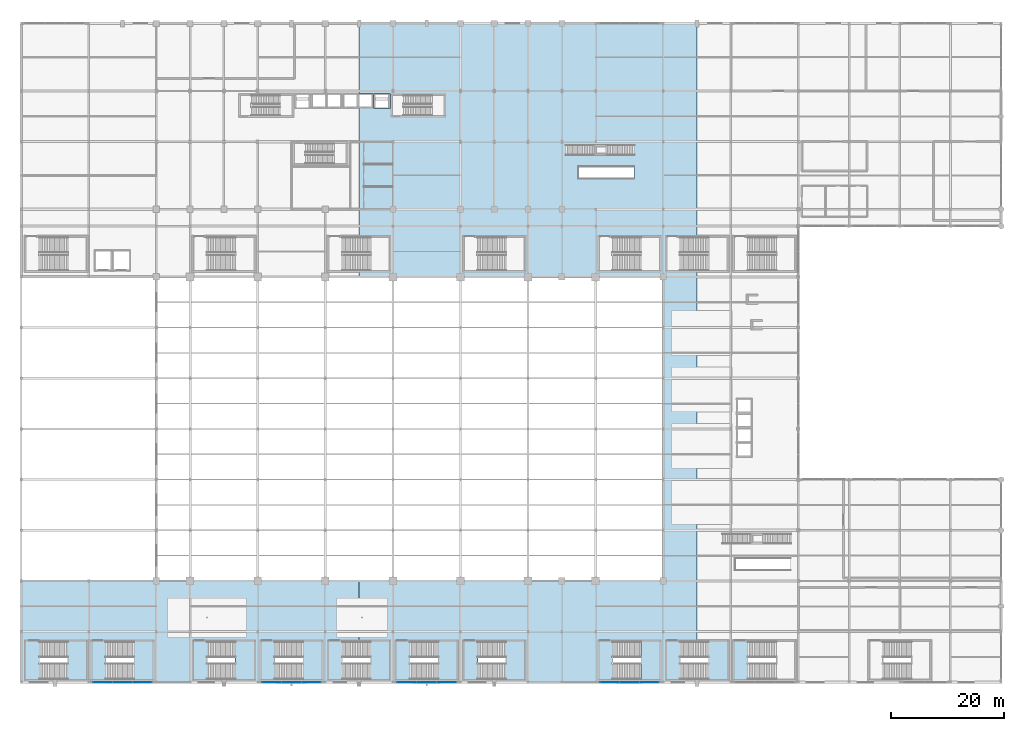
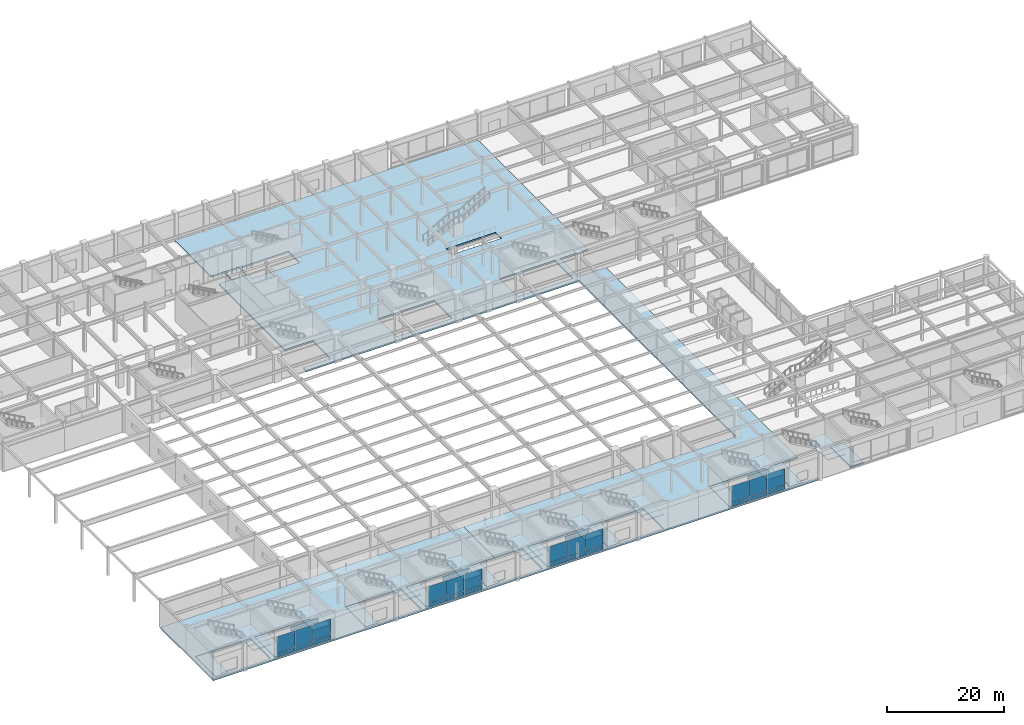
# One storey, part 79 of 105: 28 plates, 21 slabs, 13 elements without a shape of their own.
"""IFC4 building model written with IfcOpenShell, lengths in metres."""

from ifc_helpers import new_model, si_unit, direction, frame, origin, origin_2d, place, context, subcontext, project, spatial, polyline, rectangle, outline, extrude, material, layer, layer_set, type_object, element, aggregate, save


model = new_model("IFC4")

# Units and contexts
model_context = context("Model", 3, precision=1e-05, world=origin(), true_north=direction((0.0, 1.0)))
body_context = subcontext(model_context, "Body", "Model", "MODEL_VIEW")
ifc_project = project(units=[si_unit("LENGTHUNIT", "METRE"), si_unit("AREAUNIT", "SQUARE_METRE"), si_unit("VOLUMEUNIT", "CUBIC_METRE"), si_unit("PLANEANGLEUNIT", "RADIAN"), si_unit("MASSUNIT", "GRAM", prefix="KILO")], contexts=[model_context])

# Site, building, storey
site_placement = place(None, origin())
site = spatial("IfcSite", under=ifc_project, at=site_placement, CompositionType="ELEMENT")
building_placement = place(site_placement, origin())
building = spatial("IfcBuilding", under=site, at=building_placement, Name="Kaldorvane Square Convention Centre", CompositionType="ELEMENT")
storey_placement = place(building_placement, frame((0.0, 0.0, 6.0)))
storey = spatial("IfcBuildingStorey", under=building, at=storey_placement, Name="L01", CompositionType="ELEMENT", Elevation=6.0)

# Curtain wall, plates
ifc_material_1 = material(Name="Anodized Aluminum and Low-E Insulated Glazing", Category="aluminium")
curtain_wall_type = type_object("IfcCurtainWallType", Name="CW-UNI-P60-12", PredefinedType="USERDEFINED", material=ifc_material_1)
curtain_wall_1_placement = place(storey_placement, origin())
curtain_wall_1 = element("IfcCurtainWall", 1, at=curtain_wall_1_placement, inside=storey, type_object=curtain_wall_type, Name="Curtain Wall CW-01 (L01)", ObjectType="UNITISED GLAZING", PredefinedType="USERDEFINED")
ifc_layer_1 = layer(ifc_material_1, 0.037994384765625)
ifc_layer_set_1 = layer_set([ifc_layer_1], Name="Anodized Aluminum and Low-E Insulated Glazing")
plate_type_1 = type_object("IfcPlateType", Name="CW-PNL-01", PredefinedType="CURTAIN_PANEL", material=ifc_layer_set_1)
plate_1_placement = place(storey_placement, frame((14.48541259765625, 0.0, 0.214996337890625), z_axis=(0.0, 0.0, 1.0), x_axis=(1.0, 0.0, 0.0)))
plate_1 = element("IfcPlate", 2, at=plate_1_placement, type_object=plate_type_1, Name="CW-01 panel 1.1", PredefinedType="CURTAIN_PANEL", context=body_context, shape_type="SweptSolid", body=[
    extrude(rectangle(XDim=3.42083740234375, YDim=0.037994384765625, at=origin_2d()), origin(), (0.0, 0.0, 1.0), 0.8025054931640625),
])
plate_2_placement = place(storey_placement, frame((14.48541259765625, 0.0, 1.0825042724609375), z_axis=(0.0, 0.0, 1.0), x_axis=(1.0, 0.0, 0.0)))
plate_2 = element("IfcPlate", 3, at=plate_2_placement, type_object=plate_type_1, Name="CW-01 panel 1.2", PredefinedType="CURTAIN_PANEL", context=body_context, shape_type="SweptSolid", body=[
    extrude(rectangle(XDim=3.42083740234375, YDim=0.037994384765625, at=origin_2d()), origin(), (0.0, 0.0, 1.0), 3.412506103515625),
])
plate_3_placement = place(storey_placement, frame((18.0, 0.0, 0.214996337890625), z_axis=(0.0, 0.0, 1.0), x_axis=(1.0, 0.0, 0.0)))
plate_3 = element("IfcPlate", 4, at=plate_3_placement, type_object=plate_type_1, Name="CW-01 panel 2.1", PredefinedType="CURTAIN_PANEL", context=body_context, shape_type="SweptSolid", body=[
    extrude(rectangle(XDim=3.4583282470703125, YDim=0.037994384765625, at=origin_2d()), origin(), (0.0, 0.0, 1.0), 0.8025054931640625),
])
plate_4_placement = place(storey_placement, frame((18.0, 0.0, 1.0825042724609375), z_axis=(0.0, 0.0, 1.0), x_axis=(1.0, 0.0, 0.0)))
plate_4 = element("IfcPlate", 5, at=plate_4_placement, type_object=plate_type_1, Name="CW-01 panel 2.2", PredefinedType="CURTAIN_PANEL", context=body_context, shape_type="SweptSolid", body=[
    extrude(rectangle(XDim=3.4583282470703125, YDim=0.037994384765625, at=origin_2d()), origin(), (0.0, 0.0, 1.0), 3.412506103515625),
])
plate_5_placement = place(storey_placement, frame((21.51458740234375, 0.0, 0.214996337890625), z_axis=(0.0, 0.0, 1.0), x_axis=(1.0, 0.0, 0.0)))
plate_5 = element("IfcPlate", 6, at=plate_5_placement, type_object=plate_type_1, Name="CW-01 panel 3.1", PredefinedType="CURTAIN_PANEL", context=body_context, shape_type="SweptSolid", body=[
    extrude(rectangle(XDim=3.42083740234375, YDim=0.037994384765625, at=origin_2d()), origin(), (0.0, 0.0, 1.0), 0.8025054931640625),
])
plate_6_placement = place(storey_placement, frame((21.51458740234375, 0.0, 1.0825042724609375), z_axis=(0.0, 0.0, 1.0), x_axis=(1.0, 0.0, 0.0)))
plate_6 = element("IfcPlate", 7, at=plate_6_placement, type_object=plate_type_1, Name="CW-01 panel 3.2", PredefinedType="CURTAIN_PANEL", context=body_context, shape_type="SweptSolid", body=[
    extrude(rectangle(XDim=3.42083740234375, YDim=0.037994384765625, at=origin_2d()), origin(), (0.0, 0.0, 1.0), 3.412506103515625),
])
aggregate(curtain_wall_1, [plate_1, plate_2, plate_3, plate_4, plate_5, plate_6])

curtain_wall_2_placement = place(storey_placement, origin())
curtain_wall_2 = element("IfcCurtainWall", 8, at=curtain_wall_2_placement, inside=storey, type_object=curtain_wall_type, Name="Curtain Wall CW-01 (L01)", ObjectType="UNITISED GLAZING", PredefinedType="USERDEFINED")
plate_7_placement = place(storey_placement, frame((44.48541259765625, 0.0, 0.214996337890625), z_axis=(0.0, 0.0, 1.0), x_axis=(1.0, 0.0, 0.0)))
plate_7 = element("IfcPlate", 9, at=plate_7_placement, type_object=plate_type_1, Name="CW-01 panel 1.1", PredefinedType="CURTAIN_PANEL", context=body_context, shape_type="SweptSolid", body=[
    extrude(rectangle(XDim=3.42083740234375, YDim=0.037994384765625, at=origin_2d()), origin(), (0.0, 0.0, 1.0), 0.8025054931640625),
])
plate_8_placement = place(storey_placement, frame((44.48541259765625, 0.0, 1.0825042724609375), z_axis=(0.0, 0.0, 1.0), x_axis=(1.0, 0.0, 0.0)))
plate_8 = element("IfcPlate", 10, at=plate_8_placement, type_object=plate_type_1, Name="CW-01 panel 1.2", PredefinedType="CURTAIN_PANEL", context=body_context, shape_type="SweptSolid", body=[
    extrude(rectangle(XDim=3.42083740234375, YDim=0.037994384765625, at=origin_2d()), origin(), (0.0, 0.0, 1.0), 3.412506103515625),
])
plate_9_placement = place(storey_placement, frame((48.0, 0.0, 0.214996337890625), z_axis=(0.0, 0.0, 1.0), x_axis=(1.0, 0.0, 0.0)))
plate_9 = element("IfcPlate", 11, at=plate_9_placement, type_object=plate_type_1, Name="CW-01 panel 2.1", PredefinedType="CURTAIN_PANEL", context=body_context, shape_type="SweptSolid", body=[
    extrude(rectangle(XDim=3.4583282470703125, YDim=0.037994384765625, at=origin_2d()), origin(), (0.0, 0.0, 1.0), 0.8025054931640625),
])
plate_10_placement = place(storey_placement, frame((48.0, 0.0, 1.0825042724609375), z_axis=(0.0, 0.0, 1.0), x_axis=(1.0, 0.0, 0.0)))
plate_10 = element("IfcPlate", 12, at=plate_10_placement, type_object=plate_type_1, Name="CW-01 panel 2.2", PredefinedType="CURTAIN_PANEL", context=body_context, shape_type="SweptSolid", body=[
    extrude(rectangle(XDim=3.4583282470703125, YDim=0.037994384765625, at=origin_2d()), origin(), (0.0, 0.0, 1.0), 3.412506103515625),
])
plate_11_placement = place(storey_placement, frame((51.51458740234375, 0.0, 0.214996337890625), z_axis=(0.0, 0.0, 1.0), x_axis=(1.0, 0.0, 0.0)))
plate_11 = element("IfcPlate", 13, at=plate_11_placement, type_object=plate_type_1, Name="CW-01 panel 3.1", PredefinedType="CURTAIN_PANEL", context=body_context, shape_type="SweptSolid", body=[
    extrude(rectangle(XDim=3.42083740234375, YDim=0.037994384765625, at=origin_2d()), origin(), (0.0, 0.0, 1.0), 0.8025054931640625),
])
plate_12_placement = place(storey_placement, frame((51.51458740234375, 0.0, 1.0825042724609375), z_axis=(0.0, 0.0, 1.0), x_axis=(1.0, 0.0, 0.0)))
plate_12 = element("IfcPlate", 14, at=plate_12_placement, type_object=plate_type_1, Name="CW-01 panel 3.2", PredefinedType="CURTAIN_PANEL", context=body_context, shape_type="SweptSolid", body=[
    extrude(rectangle(XDim=3.42083740234375, YDim=0.037994384765625, at=origin_2d()), origin(), (0.0, 0.0, 1.0), 3.412506103515625),
])
aggregate(curtain_wall_2, [plate_7, plate_8, plate_9, plate_10, plate_11, plate_12])

curtain_wall_3_placement = place(storey_placement, origin())
curtain_wall_3 = element("IfcCurtainWall", 15, at=curtain_wall_3_placement, inside=storey, type_object=curtain_wall_type, Name="Curtain Wall CW-01 (L01)", ObjectType="UNITISED GLAZING", PredefinedType="USERDEFINED")
plate_13_placement = place(storey_placement, frame((68.48541259765625, 0.0, 0.214996337890625), z_axis=(0.0, 0.0, 1.0), x_axis=(1.0, 0.0, 0.0)))
plate_13 = element("IfcPlate", 16, at=plate_13_placement, type_object=plate_type_1, Name="CW-01 panel 1.1", PredefinedType="CURTAIN_PANEL", context=body_context, shape_type="SweptSolid", body=[
    extrude(rectangle(XDim=3.42083740234375, YDim=0.037994384765625, at=origin_2d()), origin(), (0.0, 0.0, 1.0), 0.8025054931640625),
])
plate_14_placement = place(storey_placement, frame((68.48541259765625, 0.0, 1.0825042724609375), z_axis=(0.0, 0.0, 1.0), x_axis=(1.0, 0.0, 0.0)))
plate_14 = element("IfcPlate", 17, at=plate_14_placement, type_object=plate_type_1, Name="CW-01 panel 1.2", PredefinedType="CURTAIN_PANEL", context=body_context, shape_type="SweptSolid", body=[
    extrude(rectangle(XDim=3.42083740234375, YDim=0.037994384765625, at=origin_2d()), origin(), (0.0, 0.0, 1.0), 3.412506103515625),
])
plate_15_placement = place(storey_placement, frame((72.0, 0.0, 0.214996337890625), z_axis=(0.0, 0.0, 1.0), x_axis=(1.0, 0.0, 0.0)))
plate_15 = element("IfcPlate", 18, at=plate_15_placement, type_object=plate_type_1, Name="CW-01 panel 2.1", PredefinedType="CURTAIN_PANEL", context=body_context, shape_type="SweptSolid", body=[
    extrude(rectangle(XDim=3.4583282470703125, YDim=0.037994384765625, at=origin_2d()), origin(), (0.0, 0.0, 1.0), 0.8025054931640625),
])
plate_16_placement = place(storey_placement, frame((72.0, 0.0, 1.0825042724609375), z_axis=(0.0, 0.0, 1.0), x_axis=(1.0, 0.0, 0.0)))
plate_16 = element("IfcPlate", 19, at=plate_16_placement, type_object=plate_type_1, Name="CW-01 panel 2.2", PredefinedType="CURTAIN_PANEL", context=body_context, shape_type="SweptSolid", body=[
    extrude(rectangle(XDim=3.4583282470703125, YDim=0.037994384765625, at=origin_2d()), origin(), (0.0, 0.0, 1.0), 3.412506103515625),
])
plate_17_placement = place(storey_placement, frame((75.51458740234375, 0.0, 0.214996337890625), z_axis=(0.0, 0.0, 1.0), x_axis=(1.0, 0.0, 0.0)))
plate_17 = element("IfcPlate", 20, at=plate_17_placement, type_object=plate_type_1, Name="CW-01 panel 3.1", PredefinedType="CURTAIN_PANEL", context=body_context, shape_type="SweptSolid", body=[
    extrude(rectangle(XDim=3.42083740234375, YDim=0.037994384765625, at=origin_2d()), origin(), (0.0, 0.0, 1.0), 0.8025054931640625),
])
plate_18_placement = place(storey_placement, frame((75.51458740234375, 0.0, 1.0825042724609375), z_axis=(0.0, 0.0, 1.0), x_axis=(1.0, 0.0, 0.0)))
plate_18 = element("IfcPlate", 21, at=plate_18_placement, type_object=plate_type_1, Name="CW-01 panel 3.2", PredefinedType="CURTAIN_PANEL", context=body_context, shape_type="SweptSolid", body=[
    extrude(rectangle(XDim=3.42083740234375, YDim=0.037994384765625, at=origin_2d()), origin(), (0.0, 0.0, 1.0), 3.412506103515625),
])
aggregate(curtain_wall_3, [plate_13, plate_14, plate_15, plate_16, plate_17, plate_18])

curtain_wall_4_placement = place(storey_placement, origin())
curtain_wall_4 = element("IfcCurtainWall", 22, at=curtain_wall_4_placement, inside=storey, type_object=curtain_wall_type, Name="Curtain Wall CW-01 (L01)", ObjectType="UNITISED GLAZING", PredefinedType="USERDEFINED")
plate_19_placement = place(storey_placement, frame((104.48541259765625, 0.0, 0.214996337890625), z_axis=(0.0, 0.0, 1.0), x_axis=(1.0, 0.0, 0.0)))
plate_19 = element("IfcPlate", 23, at=plate_19_placement, type_object=plate_type_1, Name="CW-01 panel 1.1", PredefinedType="CURTAIN_PANEL", context=body_context, shape_type="SweptSolid", body=[
    extrude(rectangle(XDim=3.42083740234375, YDim=0.037994384765625, at=origin_2d()), origin(), (0.0, 0.0, 1.0), 0.8025054931640625),
])
plate_20_placement = place(storey_placement, frame((104.48541259765625, 0.0, 1.0825042724609375), z_axis=(0.0, 0.0, 1.0), x_axis=(1.0, 0.0, 0.0)))
plate_20 = element("IfcPlate", 24, at=plate_20_placement, type_object=plate_type_1, Name="CW-01 panel 1.2", PredefinedType="CURTAIN_PANEL", context=body_context, shape_type="SweptSolid", body=[
    extrude(rectangle(XDim=3.42083740234375, YDim=0.037994384765625, at=origin_2d()), origin(), (0.0, 0.0, 1.0), 3.412506103515625),
])
plate_21_placement = place(storey_placement, frame((108.0, 0.0, 0.214996337890625), z_axis=(0.0, 0.0, 1.0), x_axis=(1.0, 0.0, 0.0)))
plate_21 = element("IfcPlate", 25, at=plate_21_placement, type_object=plate_type_1, Name="CW-01 panel 2.1", PredefinedType="CURTAIN_PANEL", context=body_context, shape_type="SweptSolid", body=[
    extrude(rectangle(XDim=3.4583282470703125, YDim=0.037994384765625, at=origin_2d()), origin(), (0.0, 0.0, 1.0), 0.8025054931640625),
])
plate_22_placement = place(storey_placement, frame((108.0, 0.0, 1.0825042724609375), z_axis=(0.0, 0.0, 1.0), x_axis=(1.0, 0.0, 0.0)))
plate_22 = element("IfcPlate", 26, at=plate_22_placement, type_object=plate_type_1, Name="CW-01 panel 2.2", PredefinedType="CURTAIN_PANEL", context=body_context, shape_type="SweptSolid", body=[
    extrude(rectangle(XDim=3.4583282470703125, YDim=0.037994384765625, at=origin_2d()), origin(), (0.0, 0.0, 1.0), 3.412506103515625),
])
plate_23_placement = place(storey_placement, frame((111.51458740234375, 0.0, 0.214996337890625), z_axis=(0.0, 0.0, 1.0), x_axis=(1.0, 0.0, 0.0)))
plate_23 = element("IfcPlate", 27, at=plate_23_placement, type_object=plate_type_1, Name="CW-01 panel 3.1", PredefinedType="CURTAIN_PANEL", context=body_context, shape_type="SweptSolid", body=[
    extrude(rectangle(XDim=3.42083740234375, YDim=0.037994384765625, at=origin_2d()), origin(), (0.0, 0.0, 1.0), 0.8025054931640625),
])
plate_24_placement = place(storey_placement, frame((111.51458740234375, 0.0, 1.0825042724609375), z_axis=(0.0, 0.0, 1.0), x_axis=(1.0, 0.0, 0.0)))
plate_24 = element("IfcPlate", 28, at=plate_24_placement, type_object=plate_type_1, Name="CW-01 panel 3.2", PredefinedType="CURTAIN_PANEL", context=body_context, shape_type="SweptSolid", body=[
    extrude(rectangle(XDim=3.42083740234375, YDim=0.037994384765625, at=origin_2d()), origin(), (0.0, 0.0, 1.0), 3.412506103515625),
])
aggregate(curtain_wall_4, [plate_19, plate_20, plate_21, plate_22, plate_23, plate_24])

# Plates
ifc_material_2 = material(Name="Concrete f'c = 42 MPa (Normalweight) Precast", Category="concrete")
ifc_layer_2 = layer(ifc_material_2, 0.095001220703125)
ifc_layer_set_2 = layer_set([ifc_layer_2], Name="Concrete f'c = 42 MPa (Normalweight) Precast")
plate_type_2 = type_object("IfcPlateType", Name="PL-FASCIA-01", PredefinedType="USERDEFINED", material=ifc_layer_set_2)
plate_25_placement = place(storey_placement, frame((18.0, -0.037506103515625, 4.6999969482421875), z_axis=(0.0, 0.0, 1.0), x_axis=(1.0, 0.0, 0.0)))
element("IfcPlate", 29, at=plate_25_placement, inside=storey, type_object=plate_type_2, Name="Precast Spandrel Fascia Plate (L01)", ObjectType="CLADDING", PredefinedType="USERDEFINED", context=body_context, shape_type="SweptSolid", body=[
    extrude(rectangle(XDim=5.399993896484375, YDim=0.095001220703125, at=origin_2d()), origin(), (0.0, 0.0, 1.0), 0.899993896484375),
])
ifc_layer_3 = layer(ifc_material_2, 0.0850067138671875)
ifc_layer_set_3 = layer_set([ifc_layer_3], Name="Concrete f'c = 42 MPa (Normalweight) Precast")
plate_type_3 = type_object("IfcPlateType", Name="PL-FASCIA-02", PredefinedType="USERDEFINED", material=ifc_layer_set_3)
plate_26_placement = place(storey_placement, frame((48.0, -0.032501220703125, 4.709991455078125), z_axis=(0.0, 0.0, 1.0), x_axis=(1.0, 0.0, 0.0)))
element("IfcPlate", 30, at=plate_26_placement, inside=storey, type_object=plate_type_3, Name="Precast Spandrel Fascia Plate (L01)", ObjectType="CLADDING", PredefinedType="USERDEFINED", context=body_context, shape_type="SweptSolid", body=[
    extrude(rectangle(XDim=5.0, YDim=0.0850067138671875, at=origin_2d()), origin(), (0.0, 0.0, 1.0), 0.8800048828125),
])
ifc_layer_4 = layer(ifc_material_2, 0.0749969482421875)
ifc_layer_set_4 = layer_set([ifc_layer_4], Name="Concrete f'c = 42 MPa (Normalweight) Precast")
plate_type_4 = type_object("IfcPlateType", Name="PL-FASCIA-03", PredefinedType="USERDEFINED", material=ifc_layer_set_4)
plate_27_placement = place(storey_placement, frame((72.0, -0.027496337890625, 4.7249908447265625), z_axis=(0.0, 0.0, 1.0), x_axis=(1.0, 0.0, 0.0)))
element("IfcPlate", 31, at=plate_27_placement, inside=storey, type_object=plate_type_4, Name="Precast Spandrel Fascia Plate (L01)", ObjectType="CLADDING", PredefinedType="USERDEFINED", context=body_context, shape_type="SweptSolid", body=[
    extrude(rectangle(XDim=4.600006103515625, YDim=0.0749969482421875, at=origin_2d()), origin(), (0.0, 0.0, 1.0), 0.850006103515625),
])
ifc_layer_5 = layer(ifc_material_2, 0.0679931640625)
ifc_layer_set_5 = layer_set([ifc_layer_5], Name="Concrete f'c = 42 MPa (Normalweight) Precast")
plate_type_5 = type_object("IfcPlateType", Name="PL-FASCIA-04", PredefinedType="USERDEFINED", material=ifc_layer_set_5)
plate_28_placement = place(storey_placement, frame((108.0, -0.0240020751953125, 4.739990234375), z_axis=(0.0, 0.0, 1.0), x_axis=(1.0, 0.0, 0.0)))
element("IfcPlate", 32, at=plate_28_placement, inside=storey, type_object=plate_type_5, Name="Precast Spandrel Fascia Plate (L01)", ObjectType="CLADDING", PredefinedType="USERDEFINED", context=body_context, shape_type="SweptSolid", body=[
    extrude(rectangle(XDim=4.1999969482421875, YDim=0.0679931640625, at=origin_2d()), origin(), (0.0, 0.0, 1.0), 0.82000732421875),
])

# Slabs
ifc_material_3 = material(Name="Concrete f'c = 42 MPa (Normalweight)", Category="concrete")
ifc_layer_6 = layer(ifc_material_3, 0.279998779296875)
ifc_layer_set_6 = layer_set([ifc_layer_6], Name="Concrete f'c = 42 MPa (Normalweight)")
slab_type_1 = type_object("IfcSlabType", Name="SL-FLND-280", PredefinedType="FLOOR", material=ifc_layer_set_6)
slab_1_placement = place(storey_placement, frame((0.0, 0.0, -0.279998779296875)))
element("IfcSlab", 33, at=slab_1_placement, inside=storey, type_object=slab_type_1, Name="Convention Exit Stair C1 Floor Landing (L01)", PredefinedType="FLOOR", context=body_context, shape_type="SweptSolid", body=[
    extrude(outline(polyline([(0.7400054931640625, 0.42999267578125), (3.2899932861328125, 0.42999267578125), (3.2899932861328125, 7.3800048828125), (0.7400054931640625, 7.3800048828125), (0.7400054931640625, 0.42999267578125)])), origin(), (0.0, 0.0, 1.0), 0.279998779296875),
])
slab_2_placement = place(storey_placement, frame((0.0, 0.0, -0.279998779296875)))
element("IfcSlab", 34, at=slab_2_placement, inside=storey, type_object=slab_type_1, Name="Convention Exit Stair C2 Floor Landing (L01)", PredefinedType="FLOOR", context=body_context, shape_type="SweptSolid", body=[
    extrude(outline(polyline([(12.520004272460938, 0.42999267578125), (15.07000732421875, 0.42999267578125), (15.07000732421875, 7.3800048828125), (12.520004272460938, 7.3800048828125), (12.520004272460938, 0.42999267578125)])), origin(), (0.0, 0.0, 1.0), 0.279998779296875),
])
slab_3_placement = place(storey_placement, frame((0.0, 0.0, -0.279998779296875)))
element("IfcSlab", 35, at=slab_3_placement, inside=storey, type_object=slab_type_1, Name="Convention Exit Stair C3 Floor Landing (L01)", PredefinedType="FLOOR", context=body_context, shape_type="SweptSolid", body=[
    extrude(outline(polyline([(30.520004272460938, 0.42999267578125), (33.07000732421875, 0.42999267578125), (33.07000732421875, 7.3800048828125), (30.520004272460938, 7.3800048828125), (30.520004272460938, 0.42999267578125)])), origin(), (0.0, 0.0, 1.0), 0.279998779296875),
])
slab_4_placement = place(storey_placement, frame((0.0, 0.0, -0.279998779296875)))
element("IfcSlab", 36, at=slab_4_placement, inside=storey, type_object=slab_type_1, Name="Convention Exit Stair C4 Floor Landing (L01)", PredefinedType="FLOOR", context=body_context, shape_type="SweptSolid", body=[
    extrude(outline(polyline([(42.52000427246094, 0.42999267578125), (45.07000732421875, 0.42999267578125), (45.07000732421875, 7.3800048828125), (42.52000427246094, 7.3800048828125), (42.52000427246094, 0.42999267578125)])), origin(), (0.0, 0.0, 1.0), 0.279998779296875),
])
slab_5_placement = place(storey_placement, frame((0.0, 0.0, -0.279998779296875)))
element("IfcSlab", 37, at=slab_5_placement, inside=storey, type_object=slab_type_1, Name="Convention Exit Stair C5 Floor Landing (L01)", PredefinedType="FLOOR", context=body_context, shape_type="SweptSolid", body=[
    extrude(outline(polyline([(54.52000427246094, 0.42999267578125), (57.07000732421875, 0.42999267578125), (57.07000732421875, 7.3800048828125), (54.52000427246094, 7.3800048828125), (54.52000427246094, 0.42999267578125)])), origin(), (0.0, 0.0, 1.0), 0.279998779296875),
])
slab_6_placement = place(storey_placement, frame((0.0, 0.0, -0.279998779296875)))
element("IfcSlab", 38, at=slab_6_placement, inside=storey, type_object=slab_type_1, Name="Convention Exit Stair C6 Floor Landing (L01)", PredefinedType="FLOOR", context=body_context, shape_type="SweptSolid", body=[
    extrude(outline(polyline([(66.52000427246094, 0.42999267578125), (69.07000732421875, 0.42999267578125), (69.07000732421875, 7.3800048828125), (66.52000427246094, 7.3800048828125), (66.52000427246094, 0.42999267578125)])), origin(), (0.0, 0.0, 1.0), 0.279998779296875),
])
slab_7_placement = place(storey_placement, frame((0.0, 0.0, -0.279998779296875)))
element("IfcSlab", 39, at=slab_7_placement, inside=storey, type_object=slab_type_1, Name="Convention Exit Stair C7 Floor Landing (L01)", PredefinedType="FLOOR", context=body_context, shape_type="SweptSolid", body=[
    extrude(outline(polyline([(78.52000427246094, 0.42999267578125), (81.07000732421875, 0.42999267578125), (81.07000732421875, 7.3800048828125), (78.52000427246094, 7.3800048828125), (78.52000427246094, 0.42999267578125)])), origin(), (0.0, 0.0, 1.0), 0.279998779296875),
])
slab_8_placement = place(storey_placement, frame((0.0, 0.0, -0.279998779296875)))
element("IfcSlab", 40, at=slab_8_placement, inside=storey, type_object=slab_type_1, Name="Convention Exit Stair C8 Floor Landing (L01)", PredefinedType="FLOOR", context=body_context, shape_type="SweptSolid", body=[
    extrude(outline(polyline([(102.52000427246094, 0.42999267578125), (105.07000732421875, 0.42999267578125), (105.07000732421875, 7.3800048828125), (102.52000427246094, 7.3800048828125), (102.52000427246094, 0.42999267578125)])), origin(), (0.0, 0.0, 1.0), 0.279998779296875),
])
slab_9_placement = place(storey_placement, frame((0.0, 0.0, -0.279998779296875)))
element("IfcSlab", 41, at=slab_9_placement, inside=storey, type_object=slab_type_1, Name="Convention Exit Stair C9 Floor Landing (L01)", PredefinedType="FLOOR", context=body_context, shape_type="SweptSolid", body=[
    extrude(outline(polyline([(114.52000427246094, 0.42999267578125), (117.07000732421875, 0.42999267578125), (117.07000732421875, 7.3800048828125), (114.52000427246094, 7.3800048828125), (114.52000427246094, 0.42999267578125)])), origin(), (0.0, 0.0, 1.0), 0.279998779296875),
])
slab_10_placement = place(storey_placement, frame((0.0, 0.0, -0.279998779296875)))
element("IfcSlab", 42, at=slab_10_placement, inside=storey, type_object=slab_type_1, Name="Convention Exit Stair C10 Floor Landing (L01)", PredefinedType="FLOOR", context=body_context, shape_type="SweptSolid", body=[
    extrude(outline(polyline([(126.52000427246094, 0.42999267578125), (129.07000732421875, 0.42999267578125), (129.07000732421875, 7.3800048828125), (126.52000427246094, 7.3800048828125), (126.52000427246094, 0.42999267578125)])), origin(), (0.0, 0.0, 1.0), 0.279998779296875),
])

# Stair, slab
stair_type = type_object("IfcStairType", Name="ST-DL-2800-6000-D6710", PredefinedType="HALF_TURN_STAIR", material=ifc_material_3)
stair_1_placement = place(storey_placement, origin())
stair_1 = element("IfcStair", 43, at=stair_1_placement, inside=storey, type_object=stair_type, Name="Convention Exit Stair C1 (L01)", PredefinedType="HALF_TURN_STAIR")
ifc_layer_7 = layer(ifc_material_3, 0.2400054931640625)
ifc_layer_set_7 = layer_set([ifc_layer_7], Name="Concrete f'c = 42 MPa (Normalweight)")
slab_type_2 = type_object("IfcSlabType", Name="SL-LAND-240", PredefinedType="LANDING", material=ifc_layer_set_7)
slab_11_placement = place(storey_placement, frame((0.0, 0.0, 2.7599945068359375)))
slab_11 = element("IfcSlab", 44, at=slab_11_placement, type_object=slab_type_2, Name="Convention Exit Stair C1 Half Landing (L01)", PredefinedType="LANDING", context=body_context, shape_type="SweptSolid", body=[
    extrude(outline(polyline([(8.229995727539062, 0.42999267578125), (11.699996948242188, 0.42999267578125), (11.699996948242188, 7.3800048828125), (8.229995727539062, 7.3800048828125), (8.229995727539062, 0.42999267578125)])), origin(), (0.0, 0.0, 1.0), 0.2400054931640625),
])
aggregate(stair_1, [slab_11])

stair_2_placement = place(storey_placement, origin())
stair_2 = element("IfcStair", 45, at=stair_2_placement, inside=storey, type_object=stair_type, Name="Convention Exit Stair C2 (L01)", PredefinedType="HALF_TURN_STAIR")
slab_12_placement = place(storey_placement, frame((0.0, 0.0, 2.7599945068359375)))
slab_12 = element("IfcSlab", 46, at=slab_12_placement, type_object=slab_type_2, Name="Convention Exit Stair C2 Half Landing (L01)", PredefinedType="LANDING", context=body_context, shape_type="SweptSolid", body=[
    extrude(outline(polyline([(20.009994506835938, 0.42999267578125), (23.479995727539062, 0.42999267578125), (23.479995727539062, 7.3800048828125), (20.009994506835938, 7.3800048828125), (20.009994506835938, 0.42999267578125)])), origin(), (0.0, 0.0, 1.0), 0.2400054931640625),
])
aggregate(stair_2, [slab_12])

stair_3_placement = place(storey_placement, origin())
stair_3 = element("IfcStair", 47, at=stair_3_placement, inside=storey, type_object=stair_type, Name="Convention Exit Stair C3 (L01)", PredefinedType="HALF_TURN_STAIR")
slab_13_placement = place(storey_placement, frame((0.0, 0.0, 2.7599945068359375)))
slab_13 = element("IfcSlab", 48, at=slab_13_placement, type_object=slab_type_2, Name="Convention Exit Stair C3 Half Landing (L01)", PredefinedType="LANDING", context=body_context, shape_type="SweptSolid", body=[
    extrude(outline(polyline([(38.00999450683594, 0.42999267578125), (41.47999572753906, 0.42999267578125), (41.47999572753906, 7.3800048828125), (38.00999450683594, 7.3800048828125), (38.00999450683594, 0.42999267578125)])), origin(), (0.0, 0.0, 1.0), 0.2400054931640625),
])
aggregate(stair_3, [slab_13])

stair_4_placement = place(storey_placement, origin())
stair_4 = element("IfcStair", 49, at=stair_4_placement, inside=storey, type_object=stair_type, Name="Convention Exit Stair C4 (L01)", PredefinedType="HALF_TURN_STAIR")
slab_14_placement = place(storey_placement, frame((0.0, 0.0, 2.7599945068359375)))
slab_14 = element("IfcSlab", 50, at=slab_14_placement, type_object=slab_type_2, Name="Convention Exit Stair C4 Half Landing (L01)", PredefinedType="LANDING", context=body_context, shape_type="SweptSolid", body=[
    extrude(outline(polyline([(50.00999450683594, 0.42999267578125), (53.47999572753906, 0.42999267578125), (53.47999572753906, 7.3800048828125), (50.00999450683594, 7.3800048828125), (50.00999450683594, 0.42999267578125)])), origin(), (0.0, 0.0, 1.0), 0.2400054931640625),
])
aggregate(stair_4, [slab_14])

stair_5_placement = place(storey_placement, origin())
stair_5 = element("IfcStair", 51, at=stair_5_placement, inside=storey, type_object=stair_type, Name="Convention Exit Stair C5 (L01)", PredefinedType="HALF_TURN_STAIR")
slab_15_placement = place(storey_placement, frame((0.0, 0.0, 2.7599945068359375)))
slab_15 = element("IfcSlab", 52, at=slab_15_placement, type_object=slab_type_2, Name="Convention Exit Stair C5 Half Landing (L01)", PredefinedType="LANDING", context=body_context, shape_type="SweptSolid", body=[
    extrude(outline(polyline([(62.00999450683594, 0.42999267578125), (65.47999572753906, 0.42999267578125), (65.47999572753906, 7.3800048828125), (62.00999450683594, 7.3800048828125), (62.00999450683594, 0.42999267578125)])), origin(), (0.0, 0.0, 1.0), 0.2400054931640625),
])
aggregate(stair_5, [slab_15])

stair_6_placement = place(storey_placement, origin())
stair_6 = element("IfcStair", 53, at=stair_6_placement, inside=storey, type_object=stair_type, Name="Convention Exit Stair C6 (L01)", PredefinedType="HALF_TURN_STAIR")
slab_16_placement = place(storey_placement, frame((0.0, 0.0, 2.7599945068359375)))
slab_16 = element("IfcSlab", 54, at=slab_16_placement, type_object=slab_type_2, Name="Convention Exit Stair C6 Half Landing (L01)", PredefinedType="LANDING", context=body_context, shape_type="SweptSolid", body=[
    extrude(outline(polyline([(74.00999450683594, 0.42999267578125), (77.47999572753906, 0.42999267578125), (77.47999572753906, 7.3800048828125), (74.00999450683594, 7.3800048828125), (74.00999450683594, 0.42999267578125)])), origin(), (0.0, 0.0, 1.0), 0.2400054931640625),
])
aggregate(stair_6, [slab_16])

stair_7_placement = place(storey_placement, origin())
stair_7 = element("IfcStair", 55, at=stair_7_placement, inside=storey, type_object=stair_type, Name="Convention Exit Stair C7 (L01)", PredefinedType="HALF_TURN_STAIR")
slab_17_placement = place(storey_placement, frame((0.0, 0.0, 2.7599945068359375)))
slab_17 = element("IfcSlab", 56, at=slab_17_placement, type_object=slab_type_2, Name="Convention Exit Stair C7 Half Landing (L01)", PredefinedType="LANDING", context=body_context, shape_type="SweptSolid", body=[
    extrude(outline(polyline([(86.00999450683594, 0.42999267578125), (89.47999572753906, 0.42999267578125), (89.47999572753906, 7.3800048828125), (86.00999450683594, 7.3800048828125), (86.00999450683594, 0.42999267578125)])), origin(), (0.0, 0.0, 1.0), 0.2400054931640625),
])
aggregate(stair_7, [slab_17])

stair_8_placement = place(storey_placement, origin())
stair_8 = element("IfcStair", 57, at=stair_8_placement, inside=storey, type_object=stair_type, Name="Convention Exit Stair C8 (L01)", PredefinedType="HALF_TURN_STAIR")
slab_18_placement = place(storey_placement, frame((0.0, 0.0, 2.7599945068359375)))
slab_18 = element("IfcSlab", 58, at=slab_18_placement, type_object=slab_type_2, Name="Convention Exit Stair C8 Half Landing (L01)", PredefinedType="LANDING", context=body_context, shape_type="SweptSolid", body=[
    extrude(outline(polyline([(110.00999450683594, 0.42999267578125), (113.47999572753906, 0.42999267578125), (113.47999572753906, 7.3800048828125), (110.00999450683594, 7.3800048828125), (110.00999450683594, 0.42999267578125)])), origin(), (0.0, 0.0, 1.0), 0.2400054931640625),
])
aggregate(stair_8, [slab_18])

stair_9_placement = place(storey_placement, origin())
stair_9 = element("IfcStair", 59, at=stair_9_placement, inside=storey, type_object=stair_type, Name="Convention Exit Stair C9 (L01)", PredefinedType="HALF_TURN_STAIR")
slab_19_placement = place(storey_placement, frame((0.0, 0.0, 2.7599945068359375)))
slab_19 = element("IfcSlab", 60, at=slab_19_placement, type_object=slab_type_2, Name="Convention Exit Stair C9 Half Landing (L01)", PredefinedType="LANDING", context=body_context, shape_type="SweptSolid", body=[
    extrude(outline(polyline([(122.00999450683594, 0.42999267578125), (125.47999572753906, 0.42999267578125), (125.47999572753906, 7.3800048828125), (122.00999450683594, 7.3800048828125), (122.00999450683594, 0.42999267578125)])), origin(), (0.0, 0.0, 1.0), 0.2400054931640625),
])
aggregate(stair_9, [slab_19])

# Slabs
ifc_layer_8 = layer(ifc_material_3, 0.3249969482421875)
ifc_layer_set_8 = layer_set([ifc_layer_8], Name="Concrete f'c = 42 MPa (Normalweight)")
slab_type_3 = type_object("IfcSlabType", Name="SL-POD-280", PredefinedType="FLOOR", material=ifc_layer_set_8)
slab_20_placement = place(storey_placement, frame((0.0, 0.0, -0.32000732421875)))
element("IfcSlab", 61, at=slab_20_placement, inside=storey, type_object=slab_type_3, Name="Podium Composite Floor Slab L01-1", PredefinedType="FLOOR", context=body_context, shape_type="SweptSolid", body=[
    extrude(outline(polyline([(0.0, 0.0), (0.0, 18.0), (24.0, 18.0), (60.0, 18.0), (60.0, 7.3800048828125), (54.52000427246094, 7.3800048828125), (54.52000427246094, 0.42999267578125), (60.0, 0.42999267578125), (60.0, 0.0), (0.0, 0.0)]), holes=[polyline([(11.699996948242188, 0.42999267578125), (11.699996948242188, 7.3800048828125), (0.7400054931640625, 7.3800048828125), (0.7400054931640625, 0.42999267578125), (11.699996948242188, 0.42999267578125)]), polyline([(23.479995727539062, 0.42999267578125), (23.479995727539062, 7.3800048828125), (12.520004272460938, 7.3800048828125), (12.520004272460938, 0.42999267578125), (23.479995727539062, 0.42999267578125)]), polyline([(41.47999572753906, 0.42999267578125), (41.47999572753906, 7.3800048828125), (30.520004272460938, 7.3800048828125), (30.520004272460938, 0.42999267578125), (41.47999572753906, 0.42999267578125)]), polyline([(53.47999572753906, 0.42999267578125), (53.47999572753906, 7.3800048828125), (42.52000427246094, 7.3800048828125), (42.52000427246094, 0.42999267578125), (53.47999572753906, 0.42999267578125)])]), origin(), (0.0, 0.0, 1.0), 0.32000732421875),
])
slab_21_placement = place(storey_placement, frame((0.0, 0.0, -0.32000732421875)))
element("IfcSlab", 62, at=slab_21_placement, inside=storey, type_object=slab_type_3, Name="Podium Composite Floor Slab L01-2", PredefinedType="FLOOR", context=body_context, shape_type="SweptSolid", body=[
    extrude(outline(polyline([(120.0, 117.0), (120.0, 79.17999267578125), (114.52000427246094, 79.17999267578125), (114.52000427246094, 72.97999572753906), (120.0, 72.97999572753906), (120.0, 7.3800048828125), (114.52000427246094, 7.3800048828125), (114.52000427246094, 0.42999267578125), (120.0, 0.42999267578125), (120.0, 0.0), (60.0, 0.0), (60.0, 0.42999267578125), (65.47999572753906, 0.42999267578125), (65.47999572753906, 7.3800048828125), (60.0, 7.3800048828125), (60.0, 18.0), (114.0, 18.0), (114.0, 72.0), (60.0, 72.0), (60.0, 72.97999572753906), (65.47999572753906, 72.97999572753906), (65.47999572753906, 79.17999267578125), (60.0, 79.17999267578125), (60.0, 101.94999694824219), (62.5, 101.94999694824219), (62.5, 104.55000305175781), (60.0, 104.55000305175781), (60.0, 117.0), (120.0, 117.0)]), holes=[polyline([(65.44999694824219, 101.85000610351562), (65.44999694824219, 104.55000305175781), (62.649993896484375, 104.55000305175781), (62.649993896484375, 101.85000610351562), (65.44999694824219, 101.85000610351562)]), polyline([(113.47999572753906, 0.42999267578125), (113.47999572753906, 7.3800048828125), (102.52000427246094, 7.3800048828125), (102.52000427246094, 0.42999267578125), (113.47999572753906, 0.42999267578125)]), polyline([(89.47999572753906, 0.42999267578125), (89.47999572753906, 7.3800048828125), (78.52000427246094, 7.3800048828125), (78.52000427246094, 0.42999267578125), (89.47999572753906, 0.42999267578125)]), polyline([(77.47999572753906, 0.42999267578125), (77.47999572753906, 7.3800048828125), (66.52000427246094, 7.3800048828125), (66.52000427246094, 0.42999267578125), (77.47999572753906, 0.42999267578125)]), polyline([(113.47999572753906, 72.97999572753906), (113.47999572753906, 79.17999267578125), (102.52000427246094, 79.17999267578125), (102.52000427246094, 72.97999572753906), (113.47999572753906, 72.97999572753906)]), polyline([(89.47999572753906, 72.97999572753906), (89.47999572753906, 79.17999267578125), (78.52000427246094, 79.17999267578125), (78.52000427246094, 72.97999572753906), (89.47999572753906, 72.97999572753906)]), polyline([(99.0, 89.5), (108.80000305175781, 89.5), (108.80000305175781, 91.5), (99.0, 91.5), (99.0, 89.5)]), polyline([(65.77999877929688, 100.49000549316406), (75.22000122070312, 100.49000549316406), (75.22000122070312, 104.3699951171875), (65.77999877929688, 104.3699951171875), (65.77999877929688, 100.49000549316406)])]), origin(), (0.0, 0.0, 1.0), 0.32000732421875),
])

save(model, "model.ifc")
